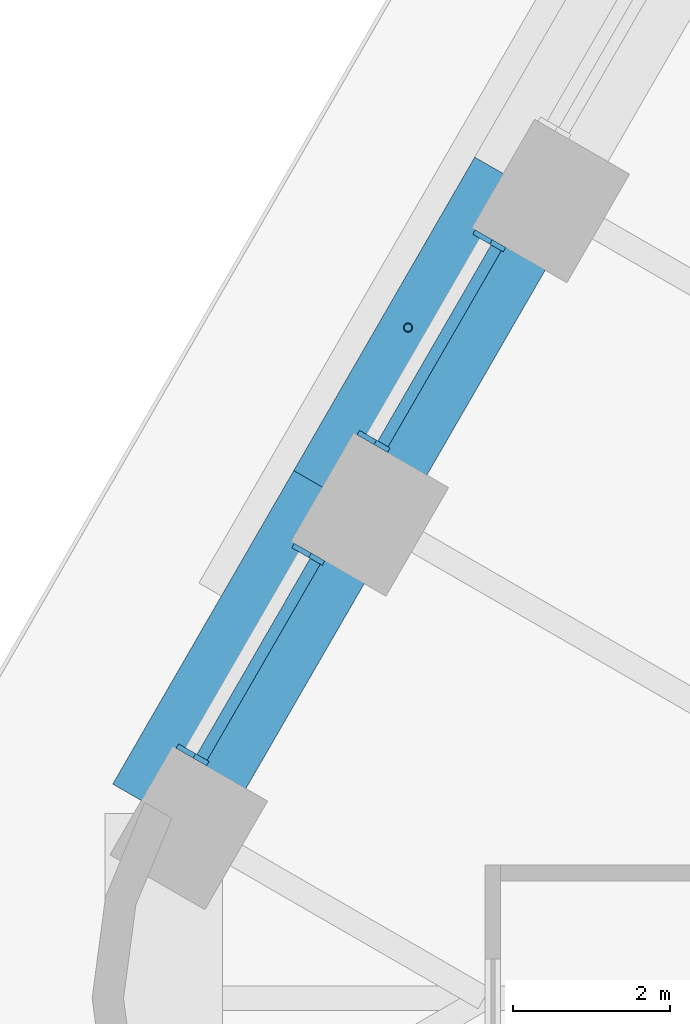
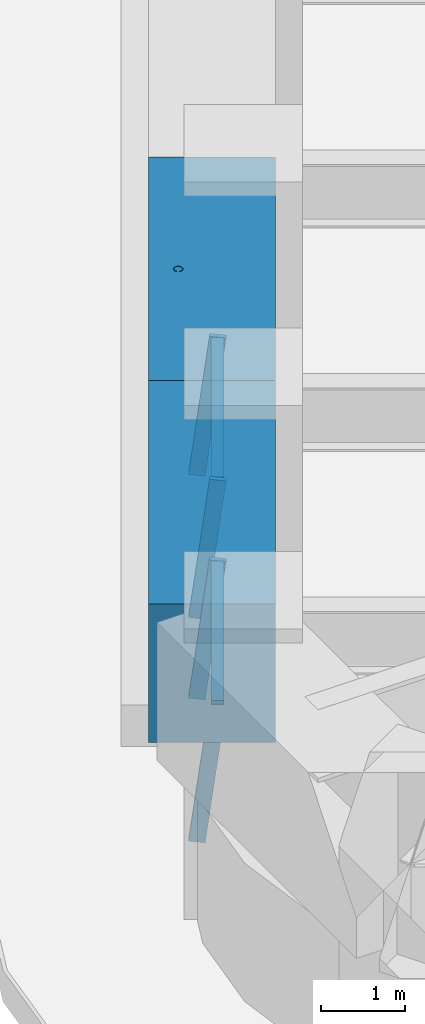
# One storey, part 6 of 20: 7 members, 2 beams, 2 elements without a shape of their own.
"""IFC4 building model written with IfcOpenShell, lengths in metres."""

from ifc_helpers import new_model, si_unit, direction, frame, origin, origin_2d, place, context, subcontext, project, spatial, rectangle, hollow_circle, extrude, material, material_profile, profile_set, type_object, element, aggregate, save


model = new_model("IFC4")

# Units and contexts
model_context = context("Model", 3, precision=1e-05, world=origin(), true_north=direction((0.0, 1.0)))
body_context = subcontext(model_context, "Body", "Model", "MODEL_VIEW")
ifc_project = project(units=[si_unit("LENGTHUNIT", "METRE"), si_unit("AREAUNIT", "SQUARE_METRE"), si_unit("VOLUMEUNIT", "CUBIC_METRE"), si_unit("PLANEANGLEUNIT", "RADIAN"), si_unit("MASSUNIT", "GRAM", prefix="KILO")], contexts=[model_context])

# Site, building, storey
site_placement = place(None, origin())
site = spatial("IfcSite", under=ifc_project, at=site_placement, CompositionType="ELEMENT")
building_placement = place(site_placement, origin())
building = spatial("IfcBuilding", under=site, at=building_placement, Name="Tarfa Lantern Tower", CompositionType="ELEMENT")
storey_placement = place(building_placement, frame((0.0, 0.0, 219.699951171875)))
storey = spatial("IfcBuildingStorey", under=building, at=storey_placement, Name="L49", CompositionType="ELEMENT", Elevation=219.699951171875)

# Curtain wall, members
ifc_material_1 = material(Name="Aluminium framed curtain wall", Category="aluminium")
curtain_wall_type = type_object("IfcCurtainWallType", Name="CW3 CANTED GLAZING HIGH ZONE 2000", PredefinedType="USERDEFINED", material=ifc_material_1)
curtain_wall_1_placement = place(storey_placement, origin())
curtain_wall_1 = element("IfcCurtainWall", 1, at=curtain_wall_1_placement, inside=storey, type_object=curtain_wall_type, Name="CW3 NW L49", ObjectType="CURTAIN WALL", PredefinedType="USERDEFINED")
ifc_material_2 = material(Name="Aluminium mullion", Category="aluminium")
ifc_material_profile_1 = material_profile(ifc_material_2, rectangle(XDim=0.06494140625, YDim=0.199951171875, at=origin_2d()), Name="AL MULLION 65x200")
ifc_profile_set_1 = profile_set([ifc_material_profile_1], Name="Aluminium mullion")
member_type_1 = type_object("IfcMemberType", Name="CWM1 MULLION 65x200", PredefinedType="MULLION", material=ifc_profile_set_1)
member_1_placement = place(storey_placement, frame((-27.75390625, 9.72900390625, 0.0), z_axis=(0.107439978116, -0.062017213975, 0.992275423596), x_axis=(0.499919672301, 0.866071776036, 0.0)))
member_1 = element("IfcMember", 2, at=member_1_placement, type_object=member_type_1, Name="CW3 mullion 1", PredefinedType="MULLION", context=body_context, shape_type="SweptSolid", body=[
    extrude(rectangle(XDim=0.06494140625, YDim=0.199951171875, at=origin_2d()), origin(), (0.0, 0.0, 1.0), 2.015625),
])
member_2_placement = place(storey_placement, frame((-29.230712890625, 7.1708984375, 0.0), z_axis=(0.107439978116, -0.062017213975, 0.992275423596), x_axis=(0.499919672301, 0.866071776036, 0.0)))
member_2 = element("IfcMember", 3, at=member_2_placement, type_object=member_type_1, Name="CW3 mullion 2", PredefinedType="MULLION", context=body_context, shape_type="SweptSolid", body=[
    extrude(rectangle(XDim=0.06494140625, YDim=0.199951171875, at=origin_2d()), origin(), (0.0, 0.0, 1.0), 2.015625),
])

curtain_wall_2_placement = place(storey_placement, origin())
curtain_wall_2 = element("IfcCurtainWall", 4, at=curtain_wall_2_placement, inside=storey, type_object=curtain_wall_type, Name="CW3 NW L49", ObjectType="CURTAIN WALL", PredefinedType="USERDEFINED")
member_3_placement = place(storey_placement, frame((-30.063232421875, 5.72900390625, 0.0), z_axis=(0.107439978116, -0.062017213975, 0.992275423596), x_axis=(0.499919672301, 0.866071776036, 0.0)))
member_3 = element("IfcMember", 5, at=member_3_placement, type_object=member_type_1, Name="CW3 mullion 1", PredefinedType="MULLION", context=body_context, shape_type="SweptSolid", body=[
    extrude(rectangle(XDim=0.06494140625, YDim=0.199951171875, at=origin_2d()), origin(), (0.0, 0.0, 1.0), 2.015625),
])
member_4_placement = place(storey_placement, frame((-31.5400390625, 3.1708984375, 0.0), z_axis=(0.107439978116, -0.062017213975, 0.992275423596), x_axis=(0.499919672301, 0.866071776036, 0.0)))
member_4 = element("IfcMember", 6, at=member_4_placement, type_object=member_type_1, Name="CW3 mullion 2", PredefinedType="MULLION", context=body_context, shape_type="SweptSolid", body=[
    extrude(rectangle(XDim=0.06494140625, YDim=0.199951171875, at=origin_2d()), origin(), (0.0, 0.0, 1.0), 2.015625),
])

# Member
ifc_material_3 = material(Name="Aluminium transom", Category="aluminium")
ifc_material_profile_2 = material_profile(ifc_material_3, rectangle(XDim=0.14990234375, YDim=0.06494140625, at=origin_2d()), Name="AL TRANSOM 150x65")
ifc_profile_set_2 = profile_set([ifc_material_profile_2], Name="Aluminium transom")
member_type_2 = type_object("IfcMemberType", Name="CWT1 TRANSOM 150x65", PredefinedType="USERDEFINED", material=ifc_profile_set_2)
member_5_placement = place(storey_placement, frame((-27.55712890625, 9.577880859375, 1.967529296875), z_axis=(-0.499993141028, -0.866029363778, 0.0), x_axis=(0.866029363778, -0.499993141028, 0.0)))
member_5 = element("IfcMember", 7, at=member_5_placement, type_object=member_type_2, Name="CW3 transom 1.2", ObjectType="TRANSOM", PredefinedType="USERDEFINED", context=body_context, shape_type="SweptSolid", body=[
    extrude(rectangle(XDim=0.14990234375, YDim=0.06494140625, at=origin_2d()), origin(), (0.0, 0.0, 1.0), 2.888671875),
])

aggregate(curtain_wall_1, [member_1, member_2, member_5])

member_6_placement = place(storey_placement, frame((-29.866455078125, 5.577880859375, 1.967529296875), z_axis=(-0.499993141028, -0.866029363778, 0.0), x_axis=(0.866029363778, -0.499993141028, 0.0)))
member_6 = element("IfcMember", 8, at=member_6_placement, type_object=member_type_2, Name="CW3 transom 1.2", ObjectType="TRANSOM", PredefinedType="USERDEFINED", context=body_context, shape_type="SweptSolid", body=[
    extrude(rectangle(XDim=0.14990234375, YDim=0.06494140625, at=origin_2d()), origin(), (0.0, 0.0, 1.0), 2.888671875),
])

aggregate(curtain_wall_2, [member_3, member_4, member_6])

# Beams
ifc_material_4 = material(Name="Concrete C80/95", Category="concrete")
ifc_material_profile_3 = material_profile(ifc_material_4, rectangle(XDim=1.5, YDim=2.0, at=origin_2d()), Name="RC 1500x2000")
ifc_profile_set_3 = profile_set([ifc_material_profile_3], Name="Concrete C80/95")
beam_type = type_object("IfcBeamType", Name="RB3 RC 1500x2000", PredefinedType="BEAM", material=ifc_profile_set_3)
beam_1_placement = place(storey_placement, frame((-27.181640625, 10.360107421875, 3.0), z_axis=(-0.499987836815, -0.866032426089, 0.0), x_axis=(0.866032426089, -0.499987836815, 0.0)))
element("IfcBeam", 9, at=beam_1_placement, inside=storey, type_object=beam_type, Name="Edge beam NW4", PredefinedType="BEAM", context=body_context, shape_type="SweptSolid", body=[
    extrude(rectangle(XDim=1.5, YDim=2.0, at=origin_2d()), origin(), (0.0, 0.0, 1.0), 4.61865234375),
])
beam_2_placement = place(storey_placement, frame((-29.490966796875, 6.360107421875, 3.0), z_axis=(-0.500027479704, -0.866009537788, 0.0), x_axis=(0.866009537788, -0.500027479704, 0.0)))
element("IfcBeam", 10, at=beam_2_placement, inside=storey, type_object=beam_type, Name="Edge beam NW5", PredefinedType="BEAM", context=body_context, shape_type="SweptSolid", body=[
    extrude(rectangle(XDim=1.5, YDim=2.0, at=origin_2d()), origin(), (0.0, 0.0, 1.0), 4.618896484375),
])

# Member
ifc_material_5 = material(Name="Steel S355", Category="steel")
ifc_material_profile_4 = material_profile(ifc_material_5, hollow_circle(Radius=0.05712890625, WallThickness=0.00634765625, at=origin_2d()), Name="CHS114.3x6.3")
ifc_profile_set_4 = profile_set([ifc_material_profile_4], Name="Steel S355")
member_type_3 = type_object("IfcMemberType", Name="TR1 GREEN WALL TRELLIS CHS114.3x6.3", PredefinedType="USERDEFINED", material=ifc_profile_set_4)
member_7_placement = place(storey_placement, frame((-28.682861328125, 8.56005859375, 0.0), z_axis=(0.0, 0.0, 1.0), x_axis=(1.0, 0.0, 0.0)))
element("IfcMember", 11, at=member_7_placement, inside=storey, type_object=member_type_3, Name="Trellis post NW 2", ObjectType="TRELLIS", PredefinedType="USERDEFINED", context=body_context, shape_type="SweptSolid", body=[
    extrude(hollow_circle(Radius=0.05712890625, WallThickness=0.00634765625, at=origin_2d()), origin(), (0.0, 0.0, 1.0), 4.0),
])

save(model, "model.ifc")
